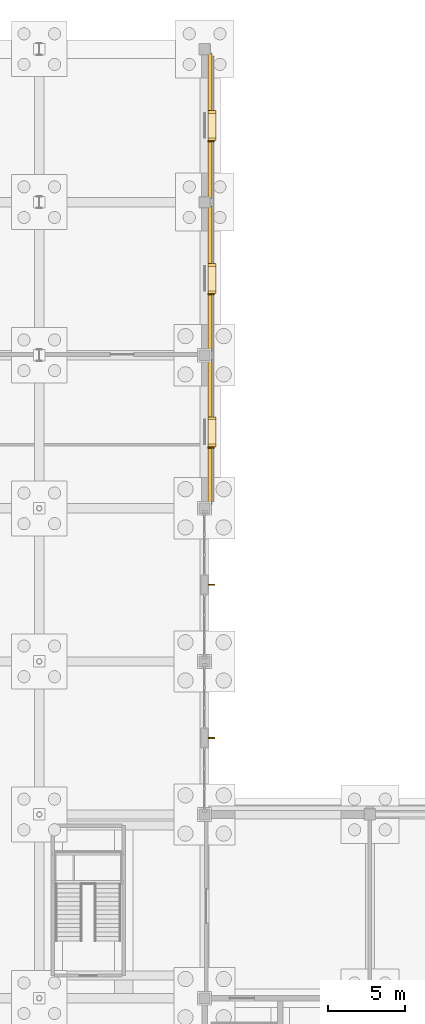
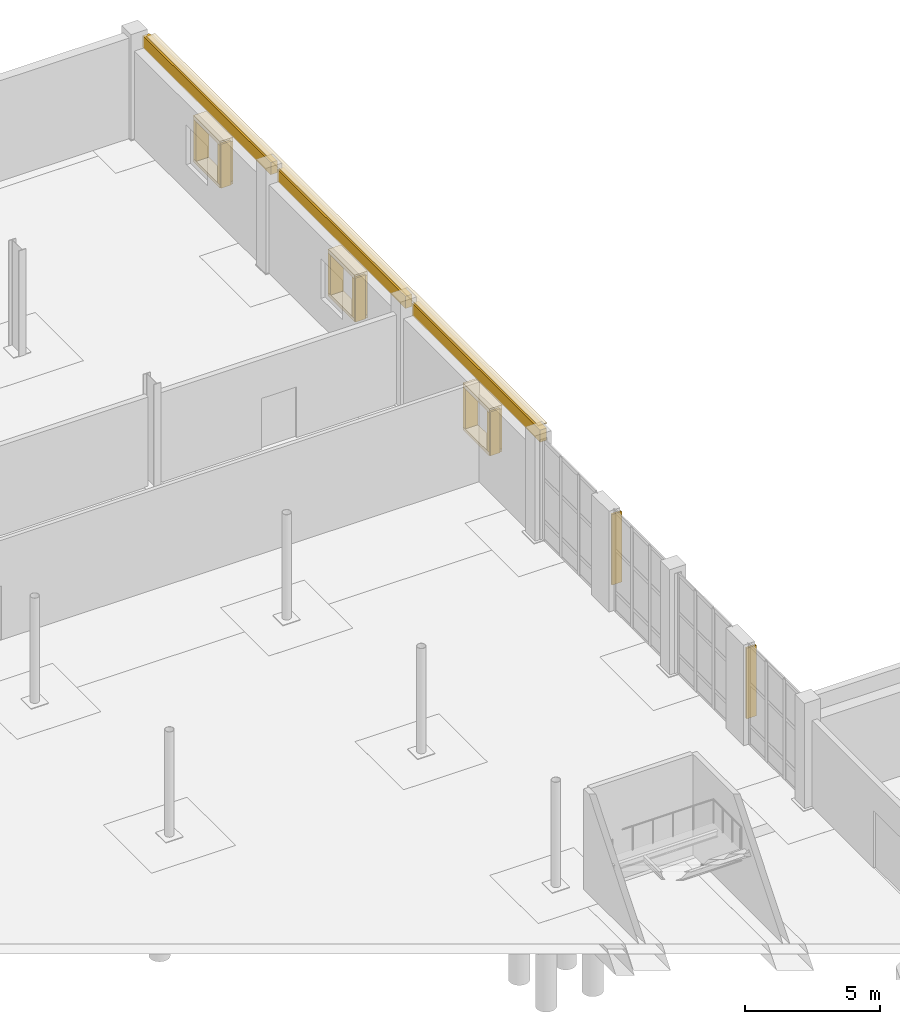
# One storey, part 70 of 73: 16 coverings, 5 shading devices.
"""IFC4 building model written with IfcOpenShell, lengths in metres."""

from ifc_helpers import new_model, si_unit, direction, frame, origin, origin_2d, place, context, subcontext, project, spatial, rectangle, extrude, material, layer, layer_set, type_object, element, save


model = new_model("IFC4")

# Units and contexts
model_context = context("Model", 3, precision=1e-05, world=origin(), true_north=direction((0.0, 1.0)))
body_context = subcontext(model_context, "Body", "Model", "MODEL_VIEW")
ifc_project = project(units=[si_unit("LENGTHUNIT", "METRE"), si_unit("AREAUNIT", "SQUARE_METRE"), si_unit("VOLUMEUNIT", "CUBIC_METRE"), si_unit("PLANEANGLEUNIT", "RADIAN"), si_unit("MASSUNIT", "GRAM", prefix="KILO")], contexts=[model_context])

# Site, building, storey
site_placement = place(None, origin())
site = spatial("IfcSite", under=ifc_project, at=site_placement, CompositionType="ELEMENT")
building_placement = place(site_placement, origin())
building = spatial("IfcBuilding", under=site, at=building_placement, Name="Tasgan Crest Museum", CompositionType="ELEMENT")
storey_placement = place(building_placement, origin())
storey = spatial("IfcBuildingStorey", under=building, at=storey_placement, Name="L00", CompositionType="ELEMENT", Elevation=0.0)

# Coverings
ifc_material_1 = material(Name="Honed Rose-Red Mongolian Granite", Category="masonry")
ifc_layer_1 = layer(ifc_material_1, 0.0400390625, Name="COV-GRANITE-ROSE")
ifc_layer_set_1 = layer_set([ifc_layer_1], Name="Honed Rose-Red Mongolian Granite")
covering_type_1 = type_object("IfcCoveringType", Name="COV-GRANITE-ROSE", PredefinedType="CLADDING", material=ifc_layer_set_1)
for number, where, z_axis, x_axis, name in (
    (1, (108.485107421875, 86.110107421875, 1.2001953125), (0.0, 0.0, 1.0), (0.0, 1.0, 0.0), "Deep window reveal jamb L00-013"),
    (2, (108.485107421875, 87.889892578125, 1.2001953125), (0.0, 0.0, 1.0), (0.0, 1.0, 0.0), "Deep window reveal jamb L00-013"),
    (3, (108.485107421875, 96.110107421875, 1.2001953125), (0.0, 0.0, 1.0), (0.0, 1.0, 0.0), "Deep window reveal jamb L00-014"),
    (4, (108.485107421875, 97.889892578125, 1.2001953125), (0.0, 0.0, 1.0), (0.0, 1.0, 0.0), "Deep window reveal jamb L00-014"),
    (5, (108.485107421875, 106.110107421875, 1.2001953125), (0.0, 0.0, 1.0), (0.0, 1.0, 0.0), "Deep window reveal jamb L00-015"),
    (6, (108.485107421875, 107.889892578125, 1.2001953125), (0.0, 0.0, 1.0), (0.0, 1.0, 0.0), "Deep window reveal jamb L00-015"),
):
    element("IfcCovering", number, at=place(storey_placement, frame(where, z_axis=z_axis, x_axis=x_axis)), inside=storey, type_object=covering_type_1, Name=name, PredefinedType="CLADDING", context=body_context, shape_type="SweptSolid", body=[
        extrude(rectangle(XDim=0.179931640625, YDim=0.550048828125, at=origin_2d()), origin(), (0.0, 0.0, 1.0), 1.800048828125),
    ])
ifc_material_2 = material(Name="Honed Buff Limestone", Category="masonry")
ifc_layer_2 = layer(ifc_material_2, 0.044921875, Name="COV-LIMESTONE-BUFF")
ifc_layer_set_2 = layer_set([ifc_layer_2], Name="Honed Buff Limestone")
covering_type_2 = type_object("IfcCoveringType", Name="COV-LIMESTONE-BUFF", PredefinedType="CLADDING", material=ifc_layer_set_2)
covering_1_placement = place(storey_placement, frame((108.429931640625, 97.0, 4.5400390625), z_axis=(0.0, 0.0, 1.0), x_axis=(0.0, 1.0, 0.0)))
element("IfcCovering", 7, at=covering_1_placement, inside=storey, type_object=covering_type_2, Name="Hillside plinth stone coping E-NORTH-SLOPE", PredefinedType="CLADDING", context=body_context, shape_type="SweptSolid", body=[
    extrude(rectangle(XDim=29.10009765625, YDim=0.3798828125, at=origin_2d()), origin(), (0.0, 0.0, 1.0), 0.050048828125),
])
covering_2_placement = place(storey_placement, frame((108.35009765625, 87.0, 3.958984375), z_axis=(0.0, 0.0, 1.0), x_axis=(0.0, 1.0, 0.0)))
element("IfcCovering", 8, at=covering_2_placement, inside=storey, type_object=covering_type_2, Name="Stone frieze cladding L00", PredefinedType="CLADDING", context=body_context, shape_type="SweptSolid", body=[
    extrude(rectangle(XDim=9.510009765625, YDim=0.280029296875, at=origin_2d()), origin(), (0.0, 0.0, 1.0), 0.551025390625),
])
covering_3_placement = place(storey_placement, frame((108.485107421875, 87.0, 3.0), z_axis=(0.0, 0.0, 1.0), x_axis=(0.0, 1.0, 0.0)))
element("IfcCovering", 9, at=covering_3_placement, inside=storey, type_object=covering_type_2, Name="Deep window hood L00-013", PredefinedType="CLADDING", context=body_context, shape_type="SweptSolid", body=[
    extrude(rectangle(XDim=1.9599609375, YDim=0.550048828125, at=origin_2d()), origin(), (0.0, 0.0, 1.0), 0.179931640625),
])
covering_4_placement = place(storey_placement, frame((108.485107421875, 87.0, 1.06005859375), z_axis=(0.0, 0.0, 1.0), x_axis=(0.0, 1.0, 0.0)))
element("IfcCovering", 10, at=covering_4_placement, inside=storey, type_object=covering_type_2, Name="Deep window sill L00-013", PredefinedType="CLADDING", context=body_context, shape_type="SweptSolid", body=[
    extrude(rectangle(XDim=1.9599609375, YDim=0.550048828125, at=origin_2d()), origin(), (0.0, 0.0, 1.0), 0.139892578125),
])
covering_5_placement = place(storey_placement, frame((108.35009765625, 97.0, 3.958984375), z_axis=(0.0, 0.0, 1.0), x_axis=(0.0, 1.0, 0.0)))
element("IfcCovering", 11, at=covering_5_placement, inside=storey, type_object=covering_type_2, Name="Stone frieze cladding L00", PredefinedType="CLADDING", context=body_context, shape_type="SweptSolid", body=[
    extrude(rectangle(XDim=9.510009765625, YDim=0.280029296875, at=origin_2d()), origin(), (0.0, 0.0, 1.0), 0.551025390625),
])
covering_6_placement = place(storey_placement, frame((108.485107421875, 97.0, 3.0), z_axis=(0.0, 0.0, 1.0), x_axis=(0.0, 1.0, 0.0)))
element("IfcCovering", 12, at=covering_6_placement, inside=storey, type_object=covering_type_2, Name="Deep window hood L00-014", PredefinedType="CLADDING", context=body_context, shape_type="SweptSolid", body=[
    extrude(rectangle(XDim=1.9599609375, YDim=0.550048828125, at=origin_2d()), origin(), (0.0, 0.0, 1.0), 0.179931640625),
])
covering_7_placement = place(storey_placement, frame((108.485107421875, 97.0, 1.06005859375), z_axis=(0.0, 0.0, 1.0), x_axis=(0.0, 1.0, 0.0)))
element("IfcCovering", 13, at=covering_7_placement, inside=storey, type_object=covering_type_2, Name="Deep window sill L00-014", PredefinedType="CLADDING", context=body_context, shape_type="SweptSolid", body=[
    extrude(rectangle(XDim=1.9599609375, YDim=0.550048828125, at=origin_2d()), origin(), (0.0, 0.0, 1.0), 0.139892578125),
])
covering_8_placement = place(storey_placement, frame((108.35009765625, 107.0, 3.958984375), z_axis=(0.0, 0.0, 1.0), x_axis=(0.0, 1.0, 0.0)))
element("IfcCovering", 14, at=covering_8_placement, inside=storey, type_object=covering_type_2, Name="Stone frieze cladding L00", PredefinedType="CLADDING", context=body_context, shape_type="SweptSolid", body=[
    extrude(rectangle(XDim=9.510009765625, YDim=0.280029296875, at=origin_2d()), origin(), (0.0, 0.0, 1.0), 0.551025390625),
])
covering_9_placement = place(storey_placement, frame((108.485107421875, 107.0, 3.0), z_axis=(0.0, 0.0, 1.0), x_axis=(0.0, 1.0, 0.0)))
element("IfcCovering", 15, at=covering_9_placement, inside=storey, type_object=covering_type_2, Name="Deep window hood L00-015", PredefinedType="CLADDING", context=body_context, shape_type="SweptSolid", body=[
    extrude(rectangle(XDim=1.9599609375, YDim=0.550048828125, at=origin_2d()), origin(), (0.0, 0.0, 1.0), 0.179931640625),
])
covering_10_placement = place(storey_placement, frame((108.485107421875, 107.0, 1.06005859375), z_axis=(0.0, 0.0, 1.0), x_axis=(0.0, 1.0, 0.0)))
element("IfcCovering", 16, at=covering_10_placement, inside=storey, type_object=covering_type_2, Name="Deep window sill L00-015", PredefinedType="CLADDING", context=body_context, shape_type="SweptSolid", body=[
    extrude(rectangle(XDim=1.9599609375, YDim=0.550048828125, at=origin_2d()), origin(), (0.0, 0.0, 1.0), 0.139892578125),
])

# Shading devices
ifc_material_3 = material(Name="Anodised Bronze Aluminium", Category="aluminium")
shading_device_type = type_object("IfcShadingDeviceType", Name="SH-FIN-V400", PredefinedType="JALOUSIE", material=ifc_material_3)
for number, where, z_axis, x_axis, name in (
    (17, (108.449951171875, 67.0, 0.68017578125), (0.0, 0.0, 1.0), (0.0, 1.0, 0.0), "Facade pier solar fin L00"),
    (18, (108.449951171875, 77.0, 0.68017578125), (0.0, 0.0, 1.0), (0.0, 1.0, 0.0), "Facade pier solar fin L00"),
):
    element("IfcShadingDevice", number, at=place(storey_placement, frame(where, z_axis=z_axis, x_axis=x_axis)), inside=storey, type_object=shading_device_type, Name=name, PredefinedType="JALOUSIE", context=body_context, shape_type="SweptSolid", body=[
        extrude(rectangle(XDim=0.080078125, YDim=0.419921875, at=origin_2d()), origin(), (0.0, 0.0, 1.0), 3.199951171875),
    ])
for number, where, z_axis, x_axis, name in (
    (19, (108.419921875, 85.97998046875, 1.10009765625), (0.0, 0.0, 1.0), (0.0, 1.0, 0.0), "Solar shading fin L00-013"),
    (20, (108.419921875, 95.97998046875, 1.10009765625), (0.0, 0.0, 1.0), (0.0, 1.0, 0.0), "Solar shading fin L00-014"),
    (21, (108.419921875, 105.97998046875, 1.10009765625), (0.0, 0.0, 1.0), (0.0, 1.0, 0.0), "Solar shading fin L00-015"),
):
    element("IfcShadingDevice", number, at=place(storey_placement, frame(where, z_axis=z_axis, x_axis=x_axis)), inside=storey, type_object=shading_device_type, Name=name, PredefinedType="JALOUSIE", context=body_context, shape_type="SweptSolid", body=[
        extrude(rectangle(XDim=0.080078125, YDim=0.419921875, at=origin_2d()), origin(), (0.0, 0.0, 1.0), 2.0),
    ])

save(model, "model.ifc")
